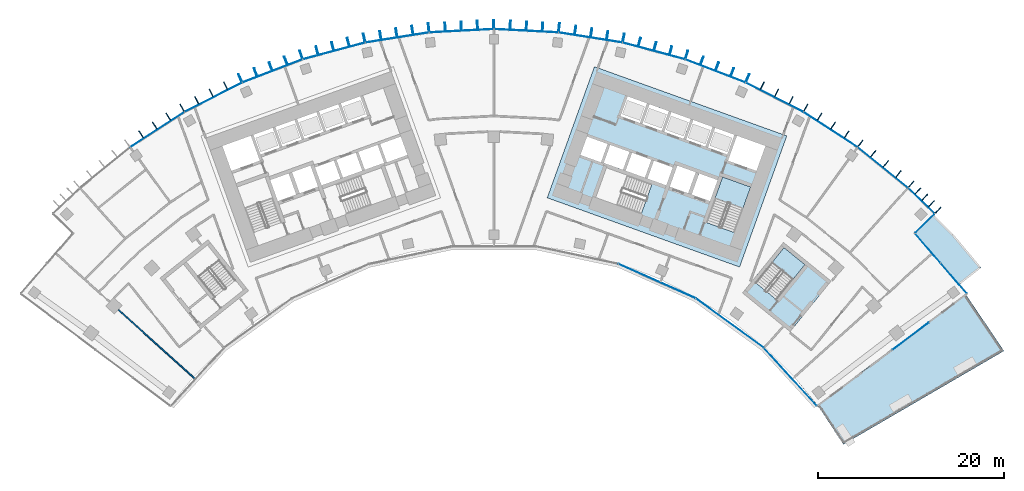
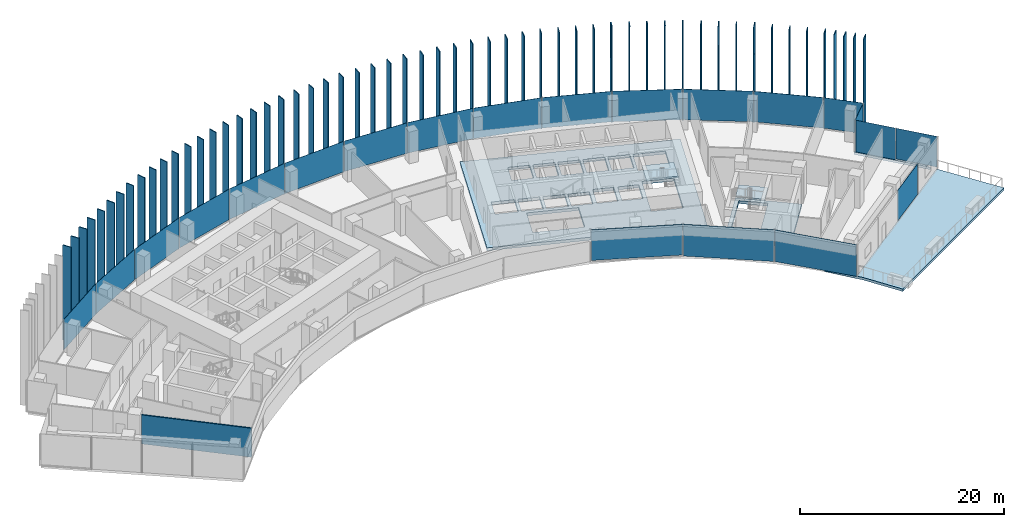
# One storey, part 14 of 23: 77 plates, 6 slabs, 1 wall, 7 elements without a shape of their own.
"""IFC4 building model written with IfcOpenShell, lengths in metres."""

from ifc_helpers import new_model, si_unit, direction, frame, frame_2d, origin, origin_2d, place, context, subcontext, project, spatial, polyline, rectangle, outline, extrude, material, layer, layer_set, type_object, element, aggregate, save


model = new_model("IFC4")

# Units and contexts
model_context = context("Model", 3, precision=1e-05, world=origin(), true_north=direction((0.0, 1.0)))
body_context = subcontext(model_context, "Body", "Model", "MODEL_VIEW")
ifc_project = project(units=[si_unit("LENGTHUNIT", "METRE"), si_unit("AREAUNIT", "SQUARE_METRE"), si_unit("VOLUMEUNIT", "CUBIC_METRE"), si_unit("PLANEANGLEUNIT", "RADIAN"), si_unit("MASSUNIT", "GRAM", prefix="KILO")], contexts=[model_context])

# Site, building, storey
site_placement = place(None, origin())
site = spatial("IfcSite", under=ifc_project, at=site_placement, CompositionType="ELEMENT")
building_placement = place(site_placement, origin())
building = spatial("IfcBuilding", under=site, at=building_placement, Name="Stone Belt Terrace Tower", CompositionType="ELEMENT")
storey_placement = place(building_placement, frame((0.0, 0.0, 144.0)))
storey = spatial("IfcBuildingStorey", under=building, at=storey_placement, Name="L34", CompositionType="ELEMENT", Elevation=144.0)

# Curtain wall, plates
ifc_material_1 = material(Name="Aluminium 6063-T6 anodised frame", Category="aluminium")
ifc_layer_1 = layer(ifc_material_1, 0.14990234375)
ifc_layer_set_1 = layer_set([ifc_layer_1], Name="CW-A unitised convex-face curtain wall")
curtain_wall_type_1 = type_object("IfcCurtainWallType", Name="CW-A unitised convex-face curtain wall", PredefinedType="NOTDEFINED", material=ifc_layer_set_1)
curtain_wall_1_placement = place(storey_placement, origin())
curtain_wall_1 = element("IfcCurtainWall", 1, at=curtain_wall_1_placement, inside=storey, type_object=curtain_wall_type_1, Name="CW-A convex face L34", PredefinedType="NOTDEFINED")
ifc_material_2 = material(Name="Clear double glazed unit")
ifc_layer_2 = layer(ifc_material_2, 0.031982421875)
ifc_layer_set_2 = layer_set([ifc_layer_2], Name="CW-A glass panel 32")
plate_type_1 = type_object("IfcPlateType", Name="CW-A glass panel 32", PredefinedType="CURTAIN_PANEL", material=ifc_layer_set_2)
plate_1_placement = place(storey_placement, frame((45.9765625, 48.109619140625, 0.14013671875), z_axis=(0.0, 0.0, 1.0), x_axis=(-0.723120883539, 0.690721497993, 0.0)))
plate_1 = element("IfcPlate", 2, at=plate_1_placement, type_object=plate_type_1, Name="CW-A panel 1.1", PredefinedType="CURTAIN_PANEL", context=body_context, shape_type="SweptSolid", body=[
    extrude(rectangle(XDim=3.888671875, YDim=0.031982421875, at=origin_2d()), origin(), (0.0, 0.0, 1.0), 3.659912109375),
])
plate_2_placement = place(storey_placement, frame((41.839599609375, 51.667724609375, 0.14013671875), z_axis=(0.0, 0.0, 1.0), x_axis=(-0.777145961457, 0.62932039105, 0.0)))
plate_2 = element("IfcPlate", 3, at=plate_2_placement, type_object=plate_type_1, Name="CW-A panel 2.1", PredefinedType="CURTAIN_PANEL", context=body_context, shape_type="SweptSolid", body=[
    extrude(rectangle(XDim=6.900634765625, YDim=0.031982421875, at=origin_2d()), origin(), (0.0, 0.0, 1.0), 3.659912109375),
])
plate_3_placement = place(storey_placement, frame((36.209716796875, 55.758056640625, 0.14013671875), z_axis=(0.0, 0.0, 1.0), x_axis=(-0.838670567945, 0.544639035015, 0.0)))
plate_3 = element("IfcPlate", 4, at=plate_3_placement, type_object=plate_type_1, Name="CW-A panel 3.1", PredefinedType="CURTAIN_PANEL", context=body_context, shape_type="SweptSolid", body=[
    extrude(rectangle(XDim=6.90087890625, YDim=0.031982421875, at=origin_2d()), origin(), (0.0, 0.0, 1.0), 3.659912109375),
])
plate_4_placement = place(storey_placement, frame((30.18310546875, 59.237548828125, 0.14013671875), z_axis=(0.0, 0.0, 1.0), x_axis=(-0.891006524188, 0.45399049974, 0.0)))
plate_4 = element("IfcPlate", 5, at=plate_4_placement, type_object=plate_type_1, Name="CW-A panel 4.1", PredefinedType="CURTAIN_PANEL", context=body_context, shape_type="SweptSolid", body=[
    extrude(rectangle(XDim=6.90087890625, YDim=0.031982421875, at=origin_2d()), origin(), (0.0, 0.0, 1.0), 3.659912109375),
])
plate_5_placement = place(storey_placement, frame((23.82568359375, 62.068115234375, 0.14013671875), z_axis=(0.0, 0.0, 1.0), x_axis=(-0.933580426497, 0.358367949545, 0.0)))
plate_5 = element("IfcPlate", 6, at=plate_5_placement, type_object=plate_type_1, Name="CW-A panel 5.1", PredefinedType="CURTAIN_PANEL", context=body_context, shape_type="SweptSolid", body=[
    extrude(rectangle(XDim=6.90087890625, YDim=0.031982421875, at=origin_2d()), origin(), (0.0, 0.0, 1.0), 3.659912109375),
])
plate_6_placement = place(storey_placement, frame((17.207275390625, 64.218505859375, 0.14013671875), z_axis=(0.0, 0.0, 1.0), x_axis=(-0.965925826289, 0.258819045103, 0.0)))
plate_6 = element("IfcPlate", 7, at=plate_6_placement, type_object=plate_type_1, Name="CW-A panel 6.1", PredefinedType="CURTAIN_PANEL", context=body_context, shape_type="SweptSolid", body=[
    extrude(rectangle(XDim=6.90087890625, YDim=0.031982421875, at=origin_2d()), origin(), (0.0, 0.0, 1.0), 3.659912109375),
])
plate_7_placement = place(storey_placement, frame((10.400390625, 65.665283203125, 0.14013671875), z_axis=(0.0, 0.0, 1.0), x_axis=(-0.987688340595, 0.15643446504, 0.0)))
plate_7 = element("IfcPlate", 8, at=plate_7_placement, type_object=plate_type_1, Name="CW-A panel 7.1", PredefinedType="CURTAIN_PANEL", context=body_context, shape_type="SweptSolid", body=[
    extrude(rectangle(XDim=6.90087890625, YDim=0.031982421875, at=origin_2d()), origin(), (0.0, 0.0, 1.0), 3.659912109375),
])
plate_8_placement = place(storey_placement, frame((3.4794921875, 66.392822265625, 0.14013671875), z_axis=(0.0, 0.0, 1.0), x_axis=(-0.998629534755, 0.052335956243, 0.0)))
plate_8 = element("IfcPlate", 9, at=plate_8_placement, type_object=plate_type_1, Name="CW-A panel 8.1", PredefinedType="CURTAIN_PANEL", context=body_context, shape_type="SweptSolid", body=[
    extrude(rectangle(XDim=6.90087890625, YDim=0.031982421875, at=origin_2d()), origin(), (0.0, 0.0, 1.0), 3.659912109375),
])
plate_9_placement = place(storey_placement, frame((-3.4794921875, 66.392822265625, 0.14013671875), z_axis=(0.0, 0.0, 1.0), x_axis=(-0.998629534755, -0.052335956243, 0.0)))
plate_9 = element("IfcPlate", 10, at=plate_9_placement, type_object=plate_type_1, Name="CW-A panel 9.1", PredefinedType="CURTAIN_PANEL", context=body_context, shape_type="SweptSolid", body=[
    extrude(rectangle(XDim=6.90087890625, YDim=0.031982421875, at=origin_2d()), origin(), (0.0, 0.0, 1.0), 3.659912109375),
])
plate_10_placement = place(storey_placement, frame((-10.400390625, 65.665283203125, 0.14013671875), z_axis=(0.0, 0.0, 1.0), x_axis=(-0.987688340595, -0.15643446504, 0.0)))
plate_10 = element("IfcPlate", 11, at=plate_10_placement, type_object=plate_type_1, Name="CW-A panel 10.1", PredefinedType="CURTAIN_PANEL", context=body_context, shape_type="SweptSolid", body=[
    extrude(rectangle(XDim=6.90087890625, YDim=0.031982421875, at=origin_2d()), origin(), (0.0, 0.0, 1.0), 3.659912109375),
])
plate_11_placement = place(storey_placement, frame((-17.207275390625, 64.218505859375, 0.14013671875), z_axis=(0.0, 0.0, 1.0), x_axis=(-0.965925826289, -0.258819045103, 0.0)))
plate_11 = element("IfcPlate", 12, at=plate_11_placement, type_object=plate_type_1, Name="CW-A panel 11.1", PredefinedType="CURTAIN_PANEL", context=body_context, shape_type="SweptSolid", body=[
    extrude(rectangle(XDim=6.90087890625, YDim=0.031982421875, at=origin_2d()), origin(), (0.0, 0.0, 1.0), 3.659912109375),
])
plate_12_placement = place(storey_placement, frame((-23.82568359375, 62.068115234375, 0.14013671875), z_axis=(0.0, 0.0, 1.0), x_axis=(-0.933580426497, -0.358367949545, 0.0)))
plate_12 = element("IfcPlate", 13, at=plate_12_placement, type_object=plate_type_1, Name="CW-A panel 12.1", PredefinedType="CURTAIN_PANEL", context=body_context, shape_type="SweptSolid", body=[
    extrude(rectangle(XDim=6.90087890625, YDim=0.031982421875, at=origin_2d()), origin(), (0.0, 0.0, 1.0), 3.659912109375),
])
plate_13_placement = place(storey_placement, frame((-30.18310546875, 59.237548828125, 0.14013671875), z_axis=(0.0, 0.0, 1.0), x_axis=(-0.891006524188, -0.45399049974, 0.0)))
plate_13 = element("IfcPlate", 14, at=plate_13_placement, type_object=plate_type_1, Name="CW-A panel 13.1", PredefinedType="CURTAIN_PANEL", context=body_context, shape_type="SweptSolid", body=[
    extrude(rectangle(XDim=6.90087890625, YDim=0.031982421875, at=origin_2d()), origin(), (0.0, 0.0, 1.0), 3.659912109375),
])
plate_14_placement = place(storey_placement, frame((-36.209716796875, 55.758056640625, 0.14013671875), z_axis=(0.0, 0.0, 1.0), x_axis=(-0.838670567945, -0.544639035015, 0.0)))
plate_14 = element("IfcPlate", 15, at=plate_14_placement, type_object=plate_type_1, Name="CW-A panel 14.1", PredefinedType="CURTAIN_PANEL", context=body_context, shape_type="SweptSolid", body=[
    extrude(rectangle(XDim=6.90087890625, YDim=0.031982421875, at=origin_2d()), origin(), (0.0, 0.0, 1.0), 3.659912109375),
])
aggregate(curtain_wall_1, [plate_1, plate_2, plate_3, plate_4, plate_5, plate_6, plate_7, plate_8, plate_9, plate_10, plate_11, plate_12, plate_13, plate_14])

ifc_layer_3 = layer(ifc_material_1, 0.14990234375)
ifc_layer_set_3 = layer_set([ifc_layer_3], Name="CW-B unitised concave-face curtain wall")
curtain_wall_type_2 = type_object("IfcCurtainWallType", Name="CW-B unitised concave-face curtain wall", PredefinedType="NOTDEFINED", material=ifc_layer_set_3)
curtain_wall_2_placement = place(storey_placement, origin())
curtain_wall_2 = element("IfcCurtainWall", 16, at=curtain_wall_2_placement, inside=storey, type_object=curtain_wall_type_2, Name="CW-B concave face L34", PredefinedType="NOTDEFINED")
ifc_layer_4 = layer(ifc_material_2, 0.030029296875)
ifc_layer_set_4 = layer_set([ifc_layer_4], Name="CW-B glass panel 30")
plate_type_2 = type_object("IfcPlateType", Name="CW-B glass panel 30", PredefinedType="CURTAIN_PANEL", material=ifc_layer_set_4)
plate_15_placement = place(storey_placement, frame((17.565673828125, 39.453125, 0.1201171875), z_axis=(0.0, 0.0, 1.0), x_axis=(0.913545457643, -0.406736643076, 0.0)))
plate_15 = element("IfcPlate", 17, at=plate_15_placement, type_object=plate_type_2, Name="CW-B panel 7.1", PredefinedType="CURTAIN_PANEL", context=body_context, shape_type="SweptSolid", body=[
    extrude(rectangle(XDim=9.0126953125, YDim=0.030029296875, at=origin_2d()), origin(), (0.0, 0.0, 1.0), 3.679931640625),
])
plate_16_placement = place(storey_placement, frame((25.384765625, 34.938720703125, 0.0), z_axis=(0.0, 0.0, 1.0), x_axis=(0.809016994375, -0.587785252292, 0.0)))
plate_16 = element("IfcPlate", 18, at=plate_16_placement, type_object=plate_type_2, Name="CW-B panel 8.1", PredefinedType="CURTAIN_PANEL", context=body_context, shape_type="SweptSolid", body=[
    extrude(rectangle(XDim=9.013427734375, YDim=0.030029296875, at=origin_2d()), origin(), (0.0, 0.0, 1.0), 3.800048828125),
])
plate_17_placement = place(storey_placement, frame((31.9111328125, 29.148681640625, 0.0), z_axis=(0.0, 0.0, 1.0), x_axis=(0.674760998748, -0.73803630979, 0.0)))
plate_17 = element("IfcPlate", 19, at=plate_17_placement, type_object=plate_type_2, Name="CW-B panel 9.1", PredefinedType="CURTAIN_PANEL", context=body_context, shape_type="SweptSolid", body=[
    extrude(rectangle(XDim=8.39501953125, YDim=0.030029296875, at=origin_2d()), origin(), (0.0, 0.0, 1.0), 3.800048828125),
])
aggregate(curtain_wall_2, [plate_15, plate_16, plate_17])

ifc_layer_5 = layer(ifc_material_1, 0.14990234375)
ifc_layer_set_5 = layer_set([ifc_layer_5], Name="CW-C stick curtain wall, horn ends and notches")
curtain_wall_type_3 = type_object("IfcCurtainWallType", Name="CW-C stick curtain wall, horn ends and notches", PredefinedType="NOTDEFINED", material=ifc_layer_set_5)
curtain_wall_3_placement = place(storey_placement, origin())
curtain_wall_3 = element("IfcCurtainWall", 20, at=curtain_wall_3_placement, inside=storey, type_object=curtain_wall_type_3, Name="CW-C notch face L34", PredefinedType="NOTDEFINED")
ifc_layer_6 = layer(ifc_material_2, 0.028076171875)
ifc_layer_set_6 = layer_set([ifc_layer_6], Name="CW-C glass panel 28")
plate_type_3 = type_object("IfcPlateType", Name="CW-C glass panel 28", PredefinedType="CURTAIN_PANEL", material=ifc_layer_set_6)
plate_18_placement = place(storey_placement, frame((49.466064453125, 39.76318359375, 0.1201171875), z_axis=(0.0, 0.0, 1.0), x_axis=(-0.652737860281, 0.757583847343, 0.0)))
plate_18 = element("IfcPlate", 21, at=plate_18_placement, type_object=plate_type_3, Name="CW-C panel 1.1", PredefinedType="CURTAIN_PANEL", context=body_context, shape_type="SweptSolid", body=[
    extrude(rectangle(XDim=4.268798828125, YDim=0.028076171875, at=origin_2d()), origin(), (0.0, 0.0, 1.0), 3.679931640625),
])
plate_19_placement = place(storey_placement, frame((46.68896484375, 42.986572265625, 0.0), z_axis=(0.0, 0.0, 1.0), x_axis=(-0.652737860281, 0.757583847343, 0.0)))
plate_19 = element("IfcPlate", 22, at=plate_19_placement, type_object=plate_type_3, Name="CW-C panel 2.1", PredefinedType="CURTAIN_PANEL", context=body_context, shape_type="SweptSolid", body=[
    extrude(rectangle(XDim=4.12060546875, YDim=0.028076171875, at=origin_2d()), origin(), (0.0, 0.0, 1.0), 3.800048828125),
])
aggregate(curtain_wall_3, [plate_18, plate_19])

# Curtain wall, plate
curtain_wall_4_placement = place(storey_placement, origin())
curtain_wall_4 = element("IfcCurtainWall", 23, at=curtain_wall_4_placement, inside=storey, type_object=curtain_wall_type_3, Name="CW-C notch face L34", PredefinedType="NOTDEFINED")
plate_20_placement = place(storey_placement, frame((46.365966796875, 45.658447265625, 0.1201171875), z_axis=(0.0, 0.0, 1.0), x_axis=(0.711713447851, 0.702469905511, 0.0)))
plate_20 = element("IfcPlate", 24, at=plate_20_placement, type_object=plate_type_3, Name="CW-C panel 1.1", PredefinedType="CURTAIN_PANEL", context=body_context, shape_type="SweptSolid", body=[
    extrude(rectangle(XDim=2.859375, YDim=0.028076171875, at=origin_2d()), origin(), (0.0, 0.0, 1.0), 3.679931640625),
])
aggregate(curtain_wall_4, [plate_20])

ifc_layer_7 = layer(ifc_material_1, 0.14990234375)
ifc_layer_set_7 = layer_set([ifc_layer_7], Name="CW-E conservatory and damper hall curtain wall")
curtain_wall_type_4 = type_object("IfcCurtainWallType", Name="CW-E conservatory and damper hall curtain wall", PredefinedType="NOTDEFINED", material=ifc_layer_set_7)
curtain_wall_5_placement = place(storey_placement, origin())
curtain_wall_5 = element("IfcCurtainWall", 25, at=curtain_wall_5_placement, inside=storey, type_object=curtain_wall_type_4, Name="CW-E end face L34", PredefinedType="NOTDEFINED")
ifc_layer_8 = layer(ifc_material_2, 0.035888671875)
ifc_layer_set_8 = layer_set([ifc_layer_8], Name="CW-E glass panel 36")
plate_type_4 = type_object("IfcPlateType", Name="CW-E glass panel 36", PredefinedType="CURTAIN_PANEL", material=ifc_layer_set_8)
plate_21_placement = place(storey_placement, frame((44.84423828125, 33.541015625, 0.150146484375), z_axis=(0.0, 0.0, 1.0), x_axis=(0.799986505357, 0.600017992436, 0.0)))
plate_21 = element("IfcPlate", 26, at=plate_21_placement, type_object=plate_type_4, Name="CW-E panel 3.1", PredefinedType="CURTAIN_PANEL", context=body_context, shape_type="SweptSolid", body=[
    extrude(rectangle(XDim=4.919921875, YDim=0.035888671875, at=origin_2d()), origin(), (0.0, 0.0, 1.0), 3.64990234375),
])
aggregate(curtain_wall_5, [plate_21])

# Slabs
ifc_material_3 = material(Name="Concrete B40", Category="concrete")
ifc_layer_9 = layer(ifc_material_3, 0.35009765625)
ifc_layer_set_9 = layer_set([ifc_layer_9], Name="Core floor slab 350")
slab_type_1 = type_object("IfcSlabType", Name="Core floor slab 350", PredefinedType="FLOOR", material=ifc_layer_set_9)
slab_1_placement = place(storey_placement, frame((0.0, 0.0, -0.35009765625)))
element("IfcSlab", 27, at=slab_1_placement, inside=storey, type_object=slab_type_1, Name="Core B floor L34", PredefinedType="FLOOR", context=body_context, shape_type="SweptSolid", body=[
    extrude(outline(polyline([(26.43505859375, 40.968994140625), (31.513916015625, 55.0830078125), (10.81396484375, 62.531982421875), (5.735107421875, 48.4189453125), (26.43505859375, 40.968994140625)]), holes=[polyline([(12.10595703125, 51.652099609375), (16.998046875, 49.89208984375), (15.846923828125, 46.69189453125), (10.955078125, 48.452880859375), (12.10595703125, 51.652099609375)]), polyline([(19.239990234375, 51.68896484375), (18.5458984375, 49.760009765625), (16.52294921875, 50.488037109375), (17.217041015625, 52.4169921875), (19.239990234375, 51.68896484375)]), polyline([(16.239990234375, 50.589111328125), (14.169921875, 51.333984375), (14.864013671875, 53.262939453125), (16.93408203125, 52.51806640625), (16.239990234375, 50.589111328125)]), polyline([(12.511962890625, 54.110107421875), (14.58203125, 53.364990234375), (13.887939453125, 51.43603515625), (11.864990234375, 52.1640625), (11.847900390625, 52.116943359375), (11.801025390625, 52.134033203125), (12.511962890625, 54.110107421875)]), polyline([(9.30810546875, 53.031005859375), (10.01904296875, 55.007080078125), (12.22998046875, 54.2109375), (11.51904296875, 52.235107421875), (9.30810546875, 53.031005859375)]), polyline([(16.743896484375, 58.485107421875), (18.81396484375, 57.739990234375), (18.052001953125, 55.623046875), (15.98193359375, 56.367919921875), (16.743896484375, 58.485107421875)]), polyline([(14.39111328125, 59.33203125), (16.4609375, 58.5869140625), (15.699951171875, 56.469970703125), (13.6298828125, 57.215087890625), (14.39111328125, 59.33203125)]), polyline([(27.618896484375, 49.575927734375), (25.85888671875, 44.68408203125), (22.847900390625, 45.76806640625), (24.60791015625, 50.659912109375), (27.618896484375, 49.575927734375)]), polyline([(23.25, 48.06689453125), (21.27392578125, 48.778076171875), (22.0869140625, 51.035888671875), (24.06298828125, 50.324951171875), (23.25, 48.06689453125)]), polyline([(20.89794921875, 48.9130859375), (18.922119140625, 49.6240234375), (19.735107421875, 51.883056640625), (21.7109375, 51.1708984375), (20.89794921875, 48.9130859375)]), polyline([(29.2109375, 53.9990234375), (28.24609375, 51.31689453125), (25.18798828125, 52.41796875), (26.153076171875, 55.09912109375), (29.2109375, 53.9990234375)]), polyline([(23.801025390625, 55.946044921875), (25.87109375, 55.200927734375), (25.10888671875, 53.083984375), (23.0390625, 53.8291015625), (23.801025390625, 55.946044921875)]), polyline([(21.447998046875, 56.7919921875), (23.51806640625, 56.047119140625), (22.756103515625, 53.929931640625), (20.68603515625, 54.675048828125), (21.447998046875, 56.7919921875)]), polyline([(19.095947265625, 57.638916015625), (21.166015625, 56.89404296875), (20.404052734375, 54.777099609375), (18.333984375, 55.52197265625), (19.095947265625, 57.638916015625)])]), origin(), (0.0, 0.0, 1.0), 0.35009765625),
])
slab_2_placement = place(storey_placement, frame((0.0, 0.0, -0.35009765625)))
element("IfcSlab", 28, at=slab_2_placement, inside=storey, type_object=slab_type_1, Name="Exit stair ST3B floor L34", PredefinedType="FLOOR", context=body_context, shape_type="SweptSolid", body=[
    extrude(outline(polyline([(26.741943359375, 38.18408203125), (31.866943359375, 34.02392578125), (36.278076171875, 39.458984375), (31.154052734375, 43.618896484375), (26.741943359375, 38.18408203125)]), holes=[polyline([(30.407958984375, 37.462890625), (28.156005859375, 39.291015625), (31.2119140625, 43.055908203125), (33.464111328125, 41.22802734375), (30.407958984375, 37.462890625)])]), origin(), (0.0, 0.0, 1.0), 0.35009765625),
])

# Stair, slab
stair_type = type_object("IfcStairType", Name="Exit stair 1500", PredefinedType="HALF_TURN_STAIR", material=ifc_material_3)
stair_1_placement = place(storey_placement, origin())
stair_1 = element("IfcStair", 29, at=stair_1_placement, inside=storey, type_object=stair_type, Name="L34 Exit stair 1 core B", PredefinedType="HALF_TURN_STAIR")
ifc_layer_10 = layer(ifc_material_3, 0.199951171875)
ifc_layer_set_10 = layer_set([ifc_layer_10], Name="Stair landing 200")
slab_type_2 = type_object("IfcSlabType", Name="Stair landing 200", PredefinedType="LANDING", material=ifc_layer_set_10)
slab_3_placement = place(storey_placement, frame((0.0, 0.0, 1.699951171875)))
slab_3 = element("IfcSlab", 30, at=slab_3_placement, type_object=slab_type_2, Name="ST1B landing 1", PredefinedType="LANDING", context=body_context, shape_type="SweptSolid", body=[
    extrude(outline(polyline([(26.806396484375, 47.3173828125), (27.619384765625, 49.576171875), (24.6083984375, 50.659912109375), (23.79541015625, 48.40087890625), (26.806396484375, 47.3173828125)])), origin(), (0.0, 0.0, 1.0), 0.199951171875),
])
aggregate(stair_1, [slab_3])

stair_2_placement = place(storey_placement, origin())
stair_2 = element("IfcStair", 31, at=stair_2_placement, inside=storey, type_object=stair_type, Name="L34 Exit stair 3B", PredefinedType="HALF_TURN_STAIR")
slab_4_placement = place(storey_placement, frame((0.0, 0.0, 1.699951171875)))
slab_4 = element("IfcSlab", 32, at=slab_4_placement, type_object=slab_type_2, Name="ST3B landing 1", PredefinedType="LANDING", context=body_context, shape_type="SweptSolid", body=[
    extrude(outline(polyline([(32.17138671875, 39.635986328125), (33.4638671875, 41.228271484375), (31.21240234375, 43.055908203125), (29.919921875, 41.463623046875), (32.17138671875, 39.635986328125)])), origin(), (0.0, 0.0, 1.0), 0.199951171875),
])
aggregate(stair_2, [slab_4])

# Slabs
ifc_layer_11 = layer(ifc_material_3, 0.300048828125)
ifc_layer_set_11 = layer_set([ifc_layer_11], Name="Terrace slab 300 B40")
slab_type_3 = type_object("IfcSlabType", Name="Terrace slab 300 B40", PredefinedType="FLOOR", material=ifc_layer_set_11)
slab_5_placement = place(storey_placement, frame((0.0, 0.0, -0.300048828125)))
element("IfcSlab", 33, at=slab_5_placement, inside=storey, type_object=slab_type_3, Name="Terrace slab L34-sky_garden-1", PredefinedType="FLOOR", context=body_context, shape_type="SweptSolid", body=[
    extrude(outline(polyline([(37.594482421875, 21.884033203125), (54.879150390625, 31.945556640625), (50.742919921875, 38.05908203125), (34.79931640625, 26.100830078125), (32.65478515625, 28.70849609375), (32.651611328125, 28.7060546875), (35.192138671875, 25.568603515625), (37.594482421875, 21.884033203125)])), origin(), (0.0, 0.0, 1.0), 0.300048828125),
])
slab_6_placement = place(storey_placement, frame((0.0, 0.0, -0.300048828125)))
element("IfcSlab", 34, at=slab_6_placement, inside=storey, type_object=slab_type_3, Name="Terrace slab L34-notch_roof-2", PredefinedType="FLOOR", context=body_context, shape_type="SweptSolid", body=[
    extrude(outline(polyline([(49.419189453125, 44.497314453125), (47.26513671875, 46.651123046875), (45.19384765625, 44.606689453125), (50.389404296875, 38.576904296875), (50.3916015625, 38.57861328125), (50.067138671875, 39.05810546875), (52.4326171875, 40.9033203125), (49.419189453125, 44.497314453125)])), origin(), (0.0, 0.0, 1.0), 0.300048828125),
])

# Plates
ifc_material_4 = material(Name="Terracotta coloured glazed ceramic", Category="masonry")
ifc_layer_12 = layer(ifc_material_4, 0.10009765625)
ifc_layer_set_12 = layer_set([ifc_layer_12], Name="Terracotta fin 100 x 900")
plate_type_5 = type_object("IfcPlateType", Name="Terracotta fin 100 x 900", PredefinedType="SHEET", material=ifc_layer_set_12)
for number, where, z_axis, x_axis, name in (
    (35, (47.79931640625, 47.0947265625, 0.0), (0.0, 0.0, 1.0), (0.690721497993, 0.723120883539, 0.0), "FIN L34 1.1"),
    (36, (47.07666015625, 47.784912109375, 0.0), (0.0, 0.0, 1.0), (0.690721497993, 0.723120883539, 0.0), "FIN L34 1.2"),
    (37, (46.354248046875, 48.474853515625, 0.0), (0.0, 0.0, 1.0), (0.690721497993, 0.723120883539, 0.0), "FIN L34 1.3"),
    (38, (45.6318359375, 49.1650390625, 0.0), (0.0, 0.0, 1.0), (0.690721497993, 0.723120883539, 0.0), "FIN L34 1.4"),
    (39, (44.8935546875, 49.86962890625, 0.0), (0.0, 0.0, 1.0), (0.660573481499, 0.75076139721, 0.0), "FIN L34 2.1"),
    (40, (43.5234375, 50.979736328125, 0.0), (0.0, 0.0, 1.0), (0.62932039105, 0.777145961457, 0.0), "FIN L34 2.2"),
    (41, (42.169677734375, 52.075927734375, 0.0), (0.0, 0.0, 1.0), (0.62932039105, 0.777145961457, 0.0), "FIN L34 2.3"),
    (42, (40.81591796875, 53.172119140625, 0.0), (0.0, 0.0, 1.0), (0.62932039105, 0.777145961457, 0.0), "FIN L34 2.4"),
    (43, (39.4404296875, 54.28515625, 0.0), (0.0, 0.0, 1.0), (0.587785252292, 0.809016994375, 0.0), "FIN L34 3.1"),
    (44, (37.956787109375, 55.24951171875, 0.0), (0.0, 0.0, 1.0), (0.544639035015, 0.838670567945, 0.0), "FIN L34 3.2"),
    (45, (36.49560546875, 56.1982421875, 0.0), (0.0, 0.0, 1.0), (0.544639035015, 0.838670567945, 0.0), "FIN L34 3.3"),
    (46, (35.03466796875, 57.147216796875, 0.0), (0.0, 0.0, 1.0), (0.544639035015, 0.838670567945, 0.0), "FIN L34 3.4"),
    (47, (33.550048828125, 58.1103515625, 0.0), (0.0, 0.0, 1.0), (0.5, 0.866025403784, 0.0), "FIN L34 4.1"),
    (48, (31.9736328125, 58.914306640625, 0.0), (0.0, 0.0, 1.0), (0.45399049974, 0.891006524188, 0.0), "FIN L34 4.2"),
    (49, (30.42138671875, 59.705322265625, 0.0), (0.0, 0.0, 1.0), (0.45399049974, 0.891006524188, 0.0), "FIN L34 4.3"),
    (50, (28.869140625, 60.496337890625, 0.0), (0.0, 0.0, 1.0), (0.45399049974, 0.891006524188, 0.0), "FIN L34 4.4"),
    (51, (27.2919921875, 61.299072265625, 0.0), (0.0, 0.0, 1.0), (0.406736643076, 0.913545457643, 0.0), "FIN L34 5.1"),
    (52, (25.64013671875, 61.933837890625, 0.0), (0.0, 0.0, 1.0), (0.358367949545, 0.933580426497, 0.0), "FIN L34 5.2"),
    (53, (24.013916015625, 62.55810546875, 0.0), (0.0, 0.0, 1.0), (0.358367949545, 0.933580426497, 0.0), "FIN L34 5.3"),
    (54, (22.387451171875, 63.182373046875, 0.0), (0.0, 0.0, 1.0), (0.358367949545, 0.933580426497, 0.0), "FIN L34 5.4"),
    (55, (20.735107421875, 63.81591796875, 0.0), (0.0, 0.0, 1.0), (0.309016994375, 0.951056516295, 0.0), "FIN L34 6.1"),
    (56, (19.02587890625, 64.274658203125, 0.0), (0.0, 0.0, 1.0), (0.258819045103, 0.965925826289, 0.0), "FIN L34 6.2"),
    (57, (17.34326171875, 64.7255859375, 0.0), (0.0, 0.0, 1.0), (0.258819045103, 0.965925826289, 0.0), "FIN L34 6.3"),
    (58, (15.660400390625, 65.176513671875, 0.0), (0.0, 0.0, 1.0), (0.258819045103, 0.965925826289, 0.0), "FIN L34 6.4"),
    (59, (13.950927734375, 65.6337890625, 0.0), (0.0, 0.0, 1.0), (0.207911690818, 0.978147600734, 0.0), "FIN L34 7.1"),
    (60, (12.203125, 65.911376953125, 0.0), (0.0, 0.0, 1.0), (0.15643446504, 0.987688340595, 0.0), "FIN L34 7.2"),
    (61, (10.482421875, 66.183837890625, 0.0), (0.0, 0.0, 1.0), (0.15643446504, 0.987688340595, 0.0), "FIN L34 7.3"),
    (62, (8.76171875, 66.456298828125, 0.0), (0.0, 0.0, 1.0), (0.15643446504, 0.987688340595, 0.0), "FIN L34 7.4"),
    (63, (7.013916015625, 66.732421875, 0.0), (0.0, 0.0, 1.0), (0.104528463268, 0.994521895368, 0.0), "FIN L34 8.1"),
    (64, (5.246826171875, 66.825927734375, 0.0), (0.0, 0.0, 1.0), (0.052335956243, 0.998629534755, 0.0), "FIN L34 8.2"),
    (65, (3.507080078125, 66.9169921875, 0.0), (0.0, 0.0, 1.0), (0.052335956243, 0.998629534755, 0.0), "FIN L34 8.3"),
    (66, (1.767333984375, 67.00830078125, 0.0), (0.0, 0.0, 1.0), (0.052335956243, 0.998629534755, 0.0), "FIN L34 8.4"),
    (67, (0.0, 67.10009765625, 0.0), (0.0, 0.0, 1.0), (0.0, 1.0, 0.0), "FIN L34 9.1"),
    (68, (-1.767333984375, 67.00830078125, 0.0), (0.0, 0.0, 1.0), (-0.052335956243, 0.998629534755, 0.0), "FIN L34 9.2"),
    (69, (-3.507080078125, 66.9169921875, 0.0), (0.0, 0.0, 1.0), (-0.052335956243, 0.998629534755, 0.0), "FIN L34 9.3"),
    (70, (-5.246826171875, 66.825927734375, 0.0), (0.0, 0.0, 1.0), (-0.052335956243, 0.998629534755, 0.0), "FIN L34 9.4"),
    (71, (-7.013916015625, 66.732421875, 0.0), (0.0, 0.0, 1.0), (-0.104528463268, 0.994521895368, 0.0), "FIN L34 10.1"),
    (72, (-8.76171875, 66.456298828125, 0.0), (0.0, 0.0, 1.0), (-0.15643446504, 0.987688340595, 0.0), "FIN L34 10.2"),
    (73, (-10.482421875, 66.183837890625, 0.0), (0.0, 0.0, 1.0), (-0.15643446504, 0.987688340595, 0.0), "FIN L34 10.3"),
    (74, (-12.203125, 65.911376953125, 0.0), (0.0, 0.0, 1.0), (-0.15643446504, 0.987688340595, 0.0), "FIN L34 10.4"),
    (75, (-13.950927734375, 65.6337890625, 0.0), (0.0, 0.0, 1.0), (-0.207911690818, 0.978147600734, 0.0), "FIN L34 11.1"),
    (76, (-15.660400390625, 65.176513671875, 0.0), (0.0, 0.0, 1.0), (-0.258819045103, 0.965925826289, 0.0), "FIN L34 11.2"),
    (77, (-17.34326171875, 64.7255859375, 0.0), (0.0, 0.0, 1.0), (-0.258819045103, 0.965925826289, 0.0), "FIN L34 11.3"),
    (78, (-19.02587890625, 64.274658203125, 0.0), (0.0, 0.0, 1.0), (-0.258819045103, 0.965925826289, 0.0), "FIN L34 11.4"),
    (79, (-20.735107421875, 63.81591796875, 0.0), (0.0, 0.0, 1.0), (-0.309016994375, 0.951056516295, 0.0), "FIN L34 12.1"),
    (80, (-22.387451171875, 63.182373046875, 0.0), (0.0, 0.0, 1.0), (-0.358367949545, 0.933580426497, 0.0), "FIN L34 12.2"),
    (81, (-24.013916015625, 62.55810546875, 0.0), (0.0, 0.0, 1.0), (-0.358367949545, 0.933580426497, 0.0), "FIN L34 12.3"),
    (82, (-25.64013671875, 61.933837890625, 0.0), (0.0, 0.0, 1.0), (-0.358367949545, 0.933580426497, 0.0), "FIN L34 12.4"),
    (83, (-27.2919921875, 61.299072265625, 0.0), (0.0, 0.0, 1.0), (-0.406736643076, 0.913545457643, 0.0), "FIN L34 13.1"),
    (84, (-28.869140625, 60.496337890625, 0.0), (0.0, 0.0, 1.0), (-0.45399049974, 0.891006524188, 0.0), "FIN L34 13.2"),
    (85, (-30.42138671875, 59.705322265625, 0.0), (0.0, 0.0, 1.0), (-0.45399049974, 0.891006524188, 0.0), "FIN L34 13.3"),
    (86, (-31.9736328125, 58.914306640625, 0.0), (0.0, 0.0, 1.0), (-0.45399049974, 0.891006524188, 0.0), "FIN L34 13.4"),
    (87, (-33.550048828125, 58.1103515625, 0.0), (0.0, 0.0, 1.0), (-0.5, 0.866025403784, 0.0), "FIN L34 14.1"),
    (88, (-35.03466796875, 57.147216796875, 0.0), (0.0, 0.0, 1.0), (-0.544639035015, 0.838670567945, 0.0), "FIN L34 14.2"),
    (89, (-36.49560546875, 56.1982421875, 0.0), (0.0, 0.0, 1.0), (-0.544639035015, 0.838670567945, 0.0), "FIN L34 14.3"),
    (90, (-37.956787109375, 55.24951171875, 0.0), (0.0, 0.0, 1.0), (-0.544639035015, 0.838670567945, 0.0), "FIN L34 14.4"),
):
    element("IfcPlate", number, at=place(storey_placement, frame(where, z_axis=z_axis, x_axis=x_axis)), inside=storey, type_object=plate_type_5, Name=name, PredefinedType="SHEET", context=body_context, shape_type="SweptSolid", body=[
        extrude(rectangle(XDim=0.89990234375, YDim=0.10009765625, at=origin_2d()), origin(), (0.0, 0.0, 1.0), 11.39990234375),
    ])

# Wall
ifc_material_5 = material(Name="Gypsum board partition")
ifc_layer_13 = layer(ifc_material_5, 0.14990234375)
ifc_layer_set_13 = layer_set([ifc_layer_13], Name="PARTITION 150 EI 60")
wall_type = type_object("IfcWallType", Name="PARTITION 150 EI 60", PredefinedType="PARTITIONING", material=ifc_layer_set_13)
wall_placement = place(storey_placement, frame((-40.385986328125, 36.3642578125, 0.0), z_axis=(0.0, 0.0, 1.0), x_axis=(0.743128216334, -0.669149052221, 0.0)))
element("IfcWall", 91, at=wall_placement, inside=storey, type_object=wall_type, Name="L34/wall/i036", PredefinedType="PARTITIONING", context=body_context, shape_type="SweptSolid", body=[
    extrude(rectangle(XDim=11.048828125, YDim=0.14990234375, at=frame_2d((5.5244140625, 0.0))), origin(), (0.0, 0.0, 1.0), 3.47998046875),
])

save(model, "model.ifc")
